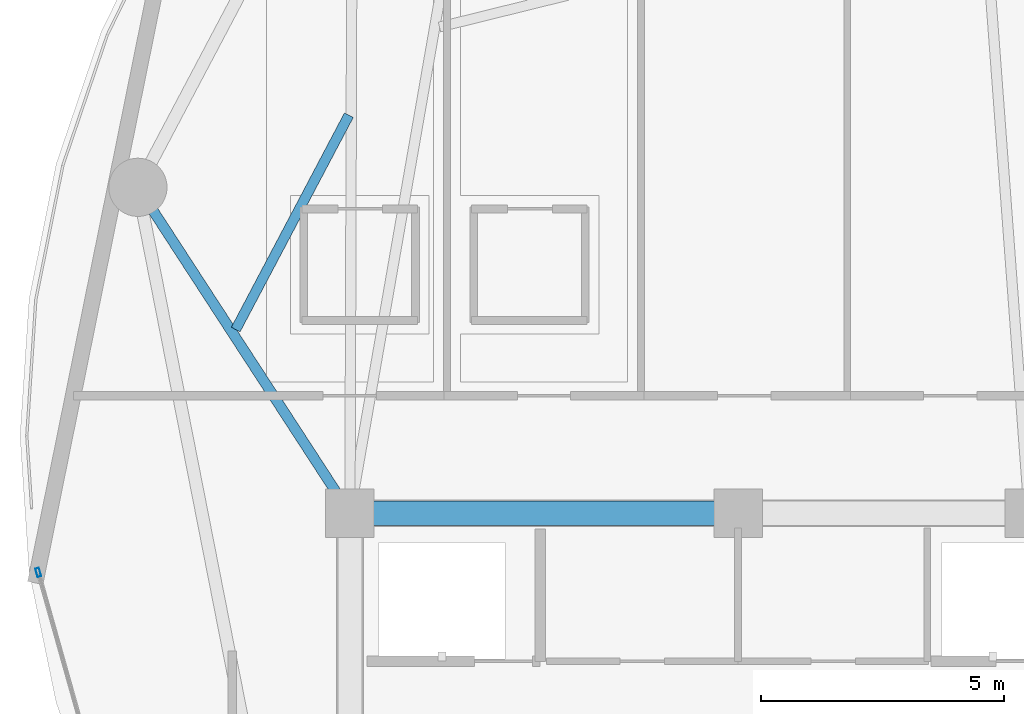
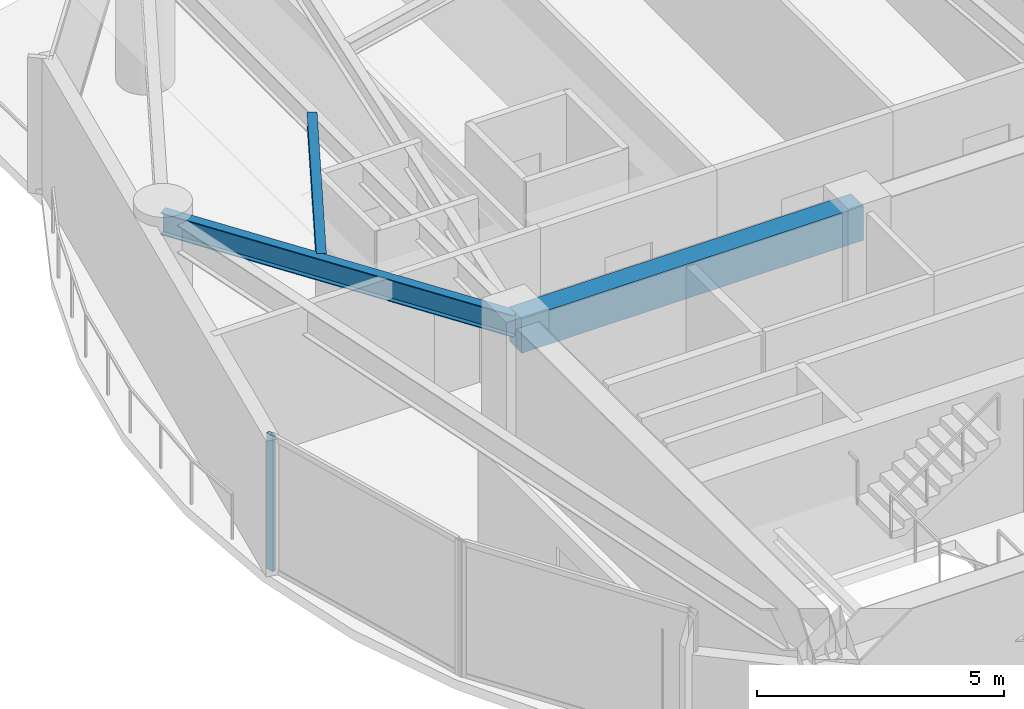
# One storey, part 7 of 28: 3 beams, 1 member, 1 element without a shape of its own.
"""IFC4 building model written with IfcOpenShell, lengths in metres."""

from ifc_helpers import new_model, si_unit, direction, frame, origin, origin_2d, place, context, subcontext, project, spatial, rectangle, hollow_rectangle, i_section, extrude, material, layer, layer_set, material_profile, profile_set, type_object, element, aggregate, save


model = new_model("IFC4")

# Units and contexts
model_context = context("Model", 3, precision=1e-05, world=origin(), true_north=direction((0.0, 1.0)))
body_context = subcontext(model_context, "Body", "Model", "MODEL_VIEW")
ifc_project = project(units=[si_unit("LENGTHUNIT", "METRE"), si_unit("AREAUNIT", "SQUARE_METRE"), si_unit("VOLUMEUNIT", "CUBIC_METRE"), si_unit("PLANEANGLEUNIT", "RADIAN"), si_unit("MASSUNIT", "GRAM", prefix="KILO")], contexts=[model_context])

# Site, building, storey
site_placement = place(None, origin())
site = spatial("IfcSite", under=ifc_project, at=site_placement, CompositionType="ELEMENT")
building_placement = place(site_placement, origin())
building = spatial("IfcBuilding", under=site, at=building_placement, Name="Kazevale Care Tower and Concert Hall", CompositionType="ELEMENT")
storey_placement = place(building_placement, frame((0.0, 0.0, 109.800048828125)))
storey = spatial("IfcBuildingStorey", under=building, at=storey_placement, Name="L28", CompositionType="ELEMENT", Elevation=109.800048828125)

# Curtain wall, member
ifc_material_1 = material(Name="Aluminium 6063-T6 and Low-E Glass", Category="aluminium")
ifc_layer = layer(ifc_material_1, 0.179931640625)
ifc_layer_set = layer_set([ifc_layer], Name="Aluminium 6063-T6 and Low-E Glass")
curtain_wall_type = type_object("IfcCurtainWallType", Name="Waist & Upper Residential Curtain Wall CW-4", PredefinedType="NOTDEFINED", material=ifc_layer_set)
curtain_wall_placement = place(storey_placement, origin())
curtain_wall = element("IfcCurtainWall", 1, at=curtain_wall_placement, inside=storey, type_object=curtain_wall_type, Name="cw:L28:f12", PredefinedType="NOTDEFINED")
ifc_material_2 = material(Name="Aluminium 6063-T6", Category="aluminium")
ifc_material_profile_1 = material_profile(ifc_material_2, hollow_rectangle(XDim=0.080078125, YDim=0.179931640625, WallThickness=0.0048828125, at=origin_2d()), Name="ALU80x180x5")
ifc_profile_set_1 = profile_set([ifc_material_profile_1], Name="Aluminium 6063-T6")
member_type = type_object("IfcMemberType", Name="CW-4 Mullion ALU80x180x5", PredefinedType="MULLION", material=ifc_profile_set_1)
member_placement = place(storey_placement, frame((15.576904296875, 35.18359375, 0.0), z_axis=(0.0, 0.0, 1.0), x_axis=(-0.962499078876, -0.271284948278, 0.0)))
member = element("IfcMember", 2, at=member_placement, type_object=member_type, Name="CW-4 mullion 2", PredefinedType="MULLION", context=body_context, shape_type="SweptSolid", body=[
    extrude(hollow_rectangle(XDim=0.080078125, YDim=0.179931640625, WallThickness=0.0048828125, at=origin_2d()), origin(), (0.0, 0.0, 1.0), 3.35986328125),
])
aggregate(curtain_wall, [member])

# Beams
ifc_material_3 = material(Name="Concrete C60", Category="concrete")
ifc_material_profile_2 = material_profile(ifc_material_3, rectangle(XDim=0.5, YDim=0.85009765625, at=origin_2d()), Name="RC-B500x850")
ifc_profile_set_2 = profile_set([ifc_material_profile_2], Name="Concrete C60")
beam_type_1 = type_object("IfcBeamType", Name="Core Coupling Beam RC500x850", PredefinedType="LINTEL", material=ifc_profile_set_2)
beam_1_placement = place(storey_placement, frame((30.0, 36.39990234375, 2.93505859375), z_axis=(-1.0, 0.0, 0.0), x_axis=(0.0, -1.0, 0.0)))
element("IfcBeam", 3, at=beam_1_placement, inside=storey, type_object=beam_type_1, Name="beam:L28:coretie:7", PredefinedType="LINTEL", context=body_context, shape_type="SweptSolid", body=[
    extrude(rectangle(XDim=0.5, YDim=0.85009765625, at=origin_2d()), origin(), (0.0, 0.0, 1.0), 8.0),
])
ifc_material_4 = material(Name="Steel ASTM A572 Gr 50", Category="steel")
ifc_material_profile_3 = material_profile(ifc_material_4, i_section(OverallWidth=0.2119140625, OverallDepth=0.5439453125, WebThickness=0.01318359375, FlangeThickness=0.021240234375, at=origin_2d()), Name="W530x123")
ifc_profile_set_3 = profile_set([ifc_material_profile_3], Name="Steel ASTM A572 Gr 50")
beam_type_2 = type_object("IfcBeamType", Name="Radial Floor Girder W530x123", PredefinedType="BEAM", material=ifc_profile_set_3)
beam_2_placement = place(storey_placement, frame((22.0, 36.39990234375, 3.087890625), z_axis=(-0.5451617613, 0.83833087383, 0.0), x_axis=(-0.83833087383, -0.5451617613, 0.0)))
element("IfcBeam", 4, at=beam_2_placement, inside=storey, type_object=beam_type_2, Name="beam:L28:rad:09", PredefinedType="BEAM", context=body_context, shape_type="SweptSolid", body=[
    extrude(i_section(OverallWidth=0.2119140625, OverallDepth=0.5439453125, WebThickness=0.01318359375, FlangeThickness=0.021240234375, at=origin_2d()), origin(), (0.0, 0.0, 1.0), 8.01611328125),
])
ifc_material_profile_4 = material_profile(ifc_material_4, i_section(OverallWidth=0.205078125, OverallDepth=0.35400390625, WebThickness=0.009521484375, FlangeThickness=0.016845703125, at=origin_2d()), Name="W360x79")
ifc_profile_set_4 = profile_set([ifc_material_profile_4], Name="Steel ASTM A572 Gr 50")
beam_type_3 = type_object("IfcBeamType", Name="Secondary Floor Joist W360x79", PredefinedType="JOIST", material=ifc_profile_set_4)
beam_3_placement = place(storey_placement, frame((21.97802734375, 44.60693359375, 3.182861328125), z_axis=(-0.466809583155, -0.884357853515, 0.0), x_axis=(0.884357853515, -0.466809583155, 0.0)))
element("IfcBeam", 5, at=beam_3_placement, inside=storey, type_object=beam_type_3, Name="beam:L28:joist:08", PredefinedType="JOIST", context=body_context, shape_type="SweptSolid", body=[
    extrude(i_section(OverallWidth=0.205078125, OverallDepth=0.35400390625, WebThickness=0.009521484375, FlangeThickness=0.016845703125, at=origin_2d()), origin(), (0.0, 0.0, 1.0), 4.99560546875),
])

save(model, "model.ifc")
